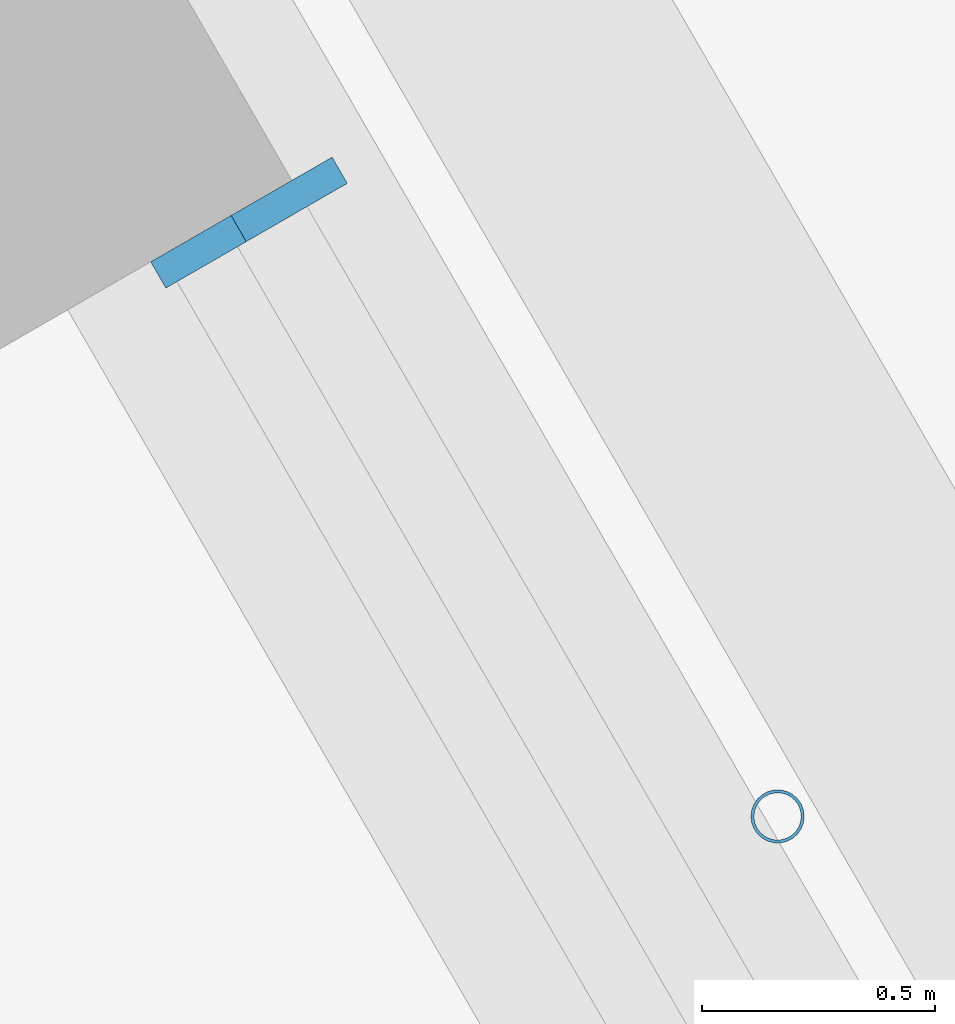
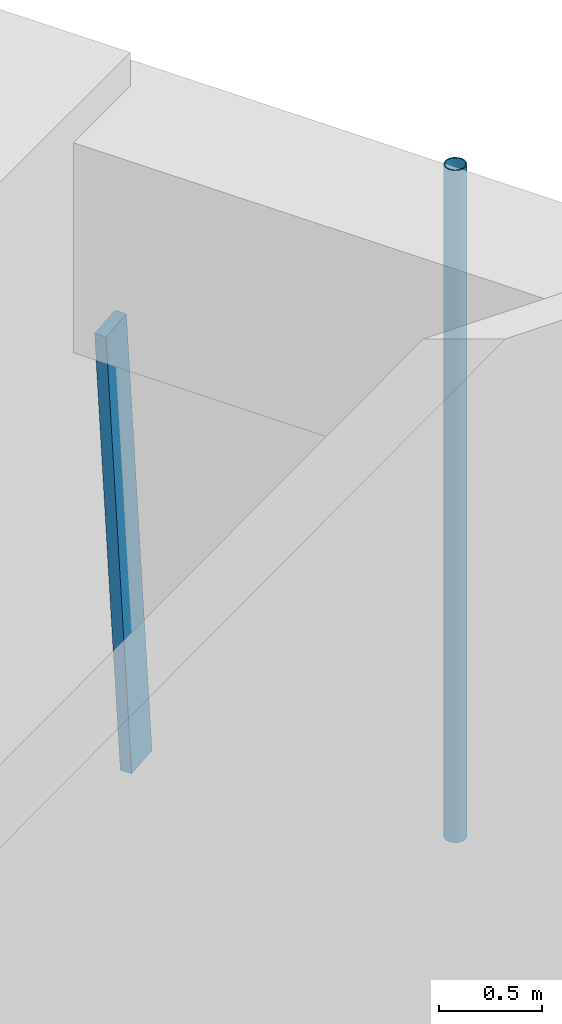
# One storey, part 15 of 24: 2 members, 1 element without a shape of its own.
"""IFC4 building model written with IfcOpenShell, lengths in metres."""

from ifc_helpers import new_model, si_unit, direction, frame, origin, origin_2d, place, context, subcontext, project, spatial, rectangle, hollow_circle, extrude, material, material_profile, profile_set, type_object, element, aggregate, save


model = new_model("IFC4")

# Units and contexts
model_context = context("Model", 3, precision=1e-05, world=origin(), true_north=direction((0.0, 1.0)))
body_context = subcontext(model_context, "Body", "Model", "MODEL_VIEW")
ifc_project = project(units=[si_unit("LENGTHUNIT", "METRE"), si_unit("AREAUNIT", "SQUARE_METRE"), si_unit("VOLUMEUNIT", "CUBIC_METRE"), si_unit("PLANEANGLEUNIT", "RADIAN"), si_unit("MASSUNIT", "GRAM", prefix="KILO")], contexts=[model_context])

# Site, building, storey
site_placement = place(None, origin())
site = spatial("IfcSite", under=ifc_project, at=site_placement, CompositionType="ELEMENT")
building_placement = place(site_placement, origin())
building = spatial("IfcBuilding", under=site, at=building_placement, Name="Tarfa Lantern Tower", CompositionType="ELEMENT")
storey_placement = place(building_placement, frame((0.0, 0.0, 144.699951171875)))
storey = spatial("IfcBuildingStorey", under=building, at=storey_placement, Name="L32", CompositionType="ELEMENT", Elevation=144.699951171875)

# Curtain wall, member
ifc_material_1 = material(Name="Aluminium framed curtain wall", Category="aluminium")
curtain_wall_type = type_object("IfcCurtainWallType", Name="CW2 CANTED GLAZING MID ZONE 2750", PredefinedType="USERDEFINED", material=ifc_material_1)
curtain_wall_placement = place(storey_placement, origin())
curtain_wall = element("IfcCurtainWall", 1, at=curtain_wall_placement, inside=storey, type_object=curtain_wall_type, Name="CW2 NE L32", ObjectType="CURTAIN WALL", PredefinedType="USERDEFINED")
ifc_material_2 = material(Name="Aluminium mullion", Category="aluminium")
ifc_material_profile_1 = material_profile(ifc_material_2, rectangle(XDim=0.06494140625, YDim=0.199951171875, at=origin_2d()), Name="AL MULLION 65x200")
ifc_profile_set_1 = profile_set([ifc_material_profile_1], Name="Aluminium mullion")
member_type_1 = type_object("IfcMemberType", Name="CWM1 MULLION 65x200", PredefinedType="MULLION", material=ifc_profile_set_1)
member_1_placement = place(storey_placement, frame((30.111328125, 10.645751953125, 0.0), z_axis=(-0.078422950161, -0.045267813396, 0.995891894715), x_axis=(0.499919672301, -0.866071776036, 0.0)))
member_1 = element("IfcMember", 2, at=member_1_placement, type_object=member_type_1, Name="CW2 mullion 2", PredefinedType="MULLION", context=body_context, shape_type="SweptSolid", body=[
    extrude(rectangle(XDim=0.06494140625, YDim=0.199951171875, at=origin_2d()), origin(), (0.0, 0.0, 1.0), 2.76123046875),
])
aggregate(curtain_wall, [member_1])

# Member
ifc_material_3 = material(Name="Steel S355", Category="steel")
ifc_material_profile_2 = material_profile(ifc_material_3, hollow_circle(Radius=0.05712890625, WallThickness=0.00634765625, at=origin_2d()), Name="CHS114.3x6.3")
ifc_profile_set_2 = profile_set([ifc_material_profile_2], Name="Steel S355")
member_type_2 = type_object("IfcMemberType", Name="TR1 GREEN WALL TRELLIS CHS114.3x6.3", PredefinedType="USERDEFINED", material=ifc_profile_set_2)
member_2_placement = place(storey_placement, frame((31.136474609375, 9.31005859375, 0.0), z_axis=(0.0, 0.0, 1.0), x_axis=(1.0, 0.0, 0.0)))
element("IfcMember", 3, at=member_2_placement, inside=storey, type_object=member_type_2, Name="Trellis post NE 1", ObjectType="TRELLIS", PredefinedType="USERDEFINED", context=body_context, shape_type="SweptSolid", body=[
    extrude(hollow_circle(Radius=0.05712890625, WallThickness=0.00634765625, at=origin_2d()), origin(), (0.0, 0.0, 1.0), 4.0),
])

save(model, "model.ifc")
